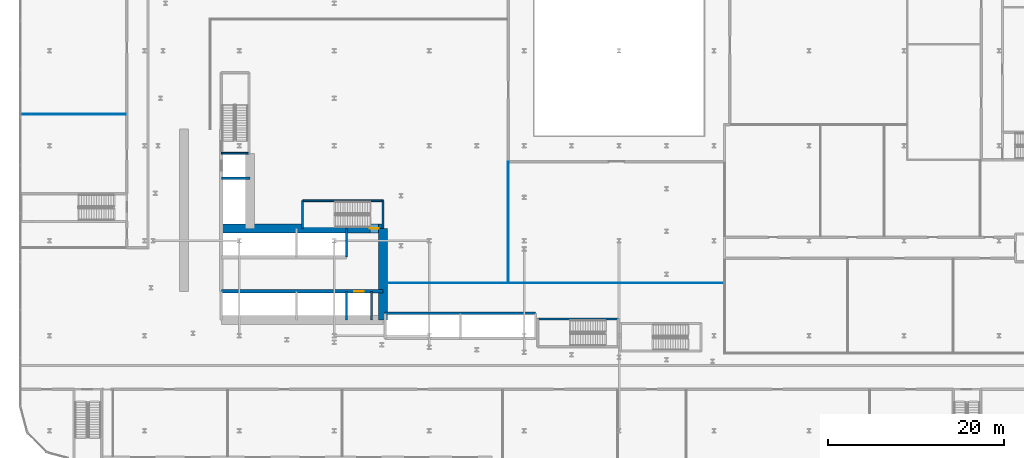
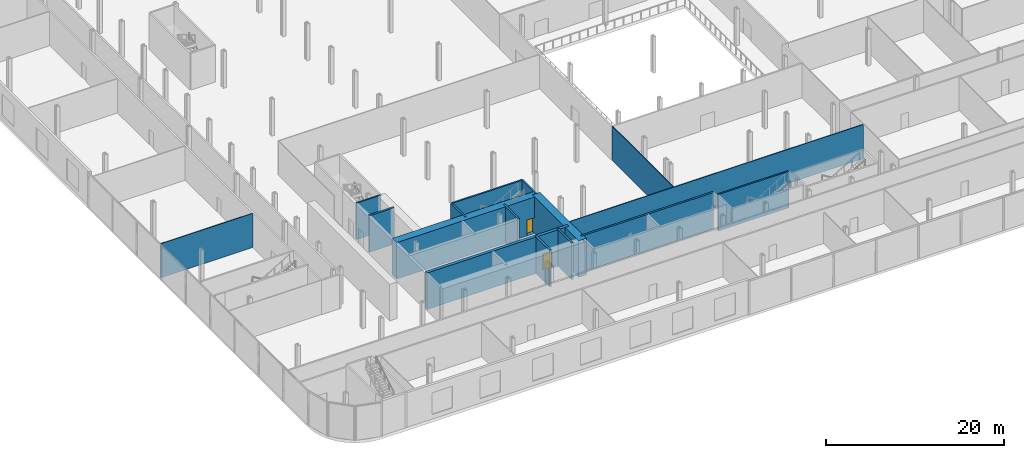
# One storey, part 28 of 47: 16 walls, 2 doors, 2 openings.
"""IFC4 building model written with IfcOpenShell, lengths in metres."""

from ifc_helpers import new_model, si_unit, direction, frame, frame_2d, origin, place, context, subcontext, project, spatial, rectangle, extrude, source, transform, mapped, material, layer, layer_set, type_object, element, fill, save


model = new_model("IFC4")

# Units and contexts
model_context = context("Model", 3, precision=1e-05, world=origin(), true_north=direction((0.0, 1.0)))
body_context = subcontext(model_context, "Body", "Model", "MODEL_VIEW")
ifc_project = project(units=[si_unit("LENGTHUNIT", "METRE"), si_unit("AREAUNIT", "SQUARE_METRE"), si_unit("VOLUMEUNIT", "CUBIC_METRE"), si_unit("PLANEANGLEUNIT", "RADIAN"), si_unit("MASSUNIT", "GRAM", prefix="KILO")], contexts=[model_context])

# Site, building, storey
site_placement = place(None, origin())
site = spatial("IfcSite", under=ifc_project, at=site_placement, CompositionType="ELEMENT")
building_placement = place(site_placement, origin())
building = spatial("IfcBuilding", under=site, at=building_placement, Name="Kheshtan School and Residences Tower", CompositionType="ELEMENT")
storey_placement = place(building_placement, frame((0.0, 0.0, 7.5)))
storey = spatial("IfcBuildingStorey", under=building, at=storey_placement, Name="L01", CompositionType="ELEMENT", Elevation=7.5)

# Wall, opening, door
ifc_material_1 = material(Name="Concrete C80/95", Category="concrete")
ifc_layer_1 = layer(ifc_material_1, 1.0)
ifc_layer_set_1 = layer_set([ifc_layer_1], Name="Core wall 1000 Concrete C80/95")
wall_type_1 = type_object("IfcWallType", Name="Core wall 1000 Concrete C80/95", PredefinedType="SHEAR", material=ifc_layer_set_1)
wall_1_placement = place(storey_placement, frame((34.75, 36.199951171875, 0.0), z_axis=(0.0, 0.0, 1.0), x_axis=(1.0, 0.0, 0.0)))
wall_1 = element("IfcWall", 1, at=wall_1_placement, inside=storey, type_object=wall_type_1, Name="Core wall CW-FRONT-S", PredefinedType="SHEAR", context=body_context, shape_type="SweptSolid", body=[
    extrude(rectangle(XDim=18.39990234375, YDim=1.0, at=frame_2d((9.199951171875, 0.0))), origin(), (0.0, 0.0, 1.0), 5.0),
])
opening_1_placement = place(wall_1_placement, frame((16.89990234375, 0.0, 0.0)))
opening_1 = element("IfcOpeningElement", 2, at=opening_1_placement, cuts=wall_1, Name="Opening ST1D", PredefinedType="OPENING", context=body_context, shape_type="SweptSolid", body=[
    extrude(rectangle(XDim=1.0, YDim=2.199951171875, at=frame_2d((0.5, 1.10009765625))), frame((0.0, 0.510009765625, 0.0), z_axis=(0.0, -1.0, 0.0), x_axis=(1.0, 0.0, 0.0)), (0.0, 0.0, 1.0), 1.02001953125),
])
ifc_material_2 = material(Name="Steel door leaf, galvanised", Category="steel")
door_type_1 = type_object("IfcDoorType", Name="Stair door 1100 steel 90 min", OperationType="SINGLE_SWING_LEFT", PredefinedType="DOOR", material=ifc_material_2)
shared_shape_1 = source(origin(), body_context, "Body", "SweptSolid", [
    extrude(rectangle(XDim=1.0, YDim=2.199951171875, at=frame_2d((0.5, 1.10009765625))), frame((0.0, 0.02490234375, 0.0), z_axis=(0.0, -1.0, 0.0), x_axis=(1.0, 0.0, 0.0)), (0.0, 0.0, 1.0), 0.050048828125),
])
door_1_placement = place(opening_1_placement, origin())
door_1 = element("IfcDoor", 3, at=door_1_placement, inside=storey, type_object=door_type_1, Name="Stair ST1 door", OperationType="SINGLE_SWING_RIGHT", OverallHeight=2.199951171875, OverallWidth=1.0, PredefinedType="DOOR", context=body_context, shape_type="MappedRepresentation", body=[
    mapped(shared_shape_1, transform((0.0, 0.0, 0.0), x_axis=(1.0, 0.0, 0.0), y_axis=(0.0, 1.0, 0.0), z_axis=(0.0, 0.0, 1.0), scale=1.0)),
])
fill(opening_1, door_1)

# Wall
wall_2_placement = place(storey_placement, frame((53.14990234375, 25.800048828125, 0.0), z_axis=(0.0, 0.0, 1.0), x_axis=(0.0, 1.0, 0.0)))
element("IfcWall", 4, at=wall_2_placement, inside=storey, type_object=wall_type_1, Name="Core wall CW-EAST", PredefinedType="SHEAR", context=body_context, shape_type="SweptSolid", body=[
    extrude(rectangle(XDim=10.39990234375, YDim=1.0, at=frame_2d((5.199951171875, 0.0))), origin(), (0.0, 0.0, 1.0), 5.0),
])

# Wall, opening, door
ifc_material_3 = material(Name="Concrete C50/60", Category="concrete")
ifc_layer_2 = layer(ifc_material_3, 0.39990234375)
ifc_layer_set_2 = layer_set([ifc_layer_2], Name="Core wall 400 Concrete C50/60")
wall_type_2 = type_object("IfcWallType", Name="Core wall 400 Concrete C50/60", PredefinedType="SHEAR", material=ifc_layer_set_2)
wall_3_placement = place(storey_placement, frame((34.75, 29.050048828125, 0.0), z_axis=(0.0, 0.0, 1.0), x_axis=(1.0, 0.0, 0.0)))
wall_3 = element("IfcWall", 5, at=wall_3_placement, inside=storey, type_object=wall_type_2, Name="Core wall CW-HALL-S1", PredefinedType="SHEAR", context=body_context, shape_type="SweptSolid", body=[
    extrude(rectangle(XDim=18.39990234375, YDim=0.39990234375, at=frame_2d((9.199951171875, 0.0))), origin(), (0.0, 0.0, 1.0), 5.0),
])
opening_2_placement = place(wall_3_placement, frame((15.125, 0.0, 0.0)))
opening_2 = element("IfcOpeningElement", 6, at=opening_2_placement, cuts=wall_3, Name="Opening LD", PredefinedType="OPENING", context=body_context, shape_type="SweptSolid", body=[
    extrude(rectangle(XDim=1.10009765625, YDim=2.199951171875, at=frame_2d((0.550048828125, 1.10009765625))), frame((0.0, 0.2099609375, 0.0), z_axis=(0.0, -1.0, 0.0), x_axis=(1.0, 0.0, 0.0)), (0.0, 0.0, 1.0), 0.419921875),
])
ifc_material_4 = material(Name="Stainless steel door leaves", Category="steel")
door_type_2 = type_object("IfcDoorType", Name="Lift landing door 1100", OperationType="SLIDING_TO_LEFT", PredefinedType="DOOR", material=ifc_material_4)
shared_shape_2 = source(origin(), body_context, "Body", "SweptSolid", [
    extrude(rectangle(XDim=1.10009765625, YDim=2.199951171875, at=frame_2d((0.550048828125, 1.10009765625))), frame((0.0, 0.02490234375, 0.0), z_axis=(0.0, -1.0, 0.0), x_axis=(1.0, 0.0, 0.0)), (0.0, 0.0, 1.0), 0.050048828125),
])
door_2_placement = place(opening_2_placement, origin())
door_2 = element("IfcDoor", 7, at=door_2_placement, inside=storey, type_object=door_type_2, Name="Lift FFL2 landing door", OperationType="SLIDING_TO_LEFT", OverallHeight=2.199951171875, OverallWidth=1.10009765625, PredefinedType="DOOR", context=body_context, shape_type="MappedRepresentation", body=[
    mapped(shared_shape_2, transform((0.0, 0.0, 0.0), x_axis=(1.0, 0.0, 0.0), y_axis=(0.0, 1.0, 0.0), z_axis=(0.0, 0.0, 1.0), scale=1.0)),
])
fill(opening_2, door_2)

# Walls
ifc_material_5 = material(Name="Gypsum board on steel studs", Category="steel")
ifc_layer_3 = layer(ifc_material_5, 0.10009765625)
ifc_layer_set_3 = layer_set([ifc_layer_3], Name="Gypsum partition 100")
wall_type_3 = type_object("IfcWallType", Name="Gypsum partition 100", PredefinedType="PARTITIONING", material=ifc_layer_set_3)
wall_4_placement = place(storey_placement, frame((12.0, 49.199951171875, 0.0), z_axis=(0.0, 0.0, 1.0), x_axis=(1.0, 0.0, 0.0)))
element("IfcWall", 8, at=wall_4_placement, inside=storey, type_object=wall_type_3, Name="Partition L01-004", PredefinedType="PARTITIONING", context=body_context, shape_type="SweptSolid", body=[
    extrude(rectangle(XDim=11.89990234375, YDim=0.10009765625, at=frame_2d((5.949951171875, 0.0))), origin(), (0.0, 0.0, 1.0), 4.679931640625),
])
wall_5_placement = place(storey_placement, frame((53.64892578125, 30.0, 0.0), z_axis=(0.0, 0.0, 1.0), x_axis=(1.0, 0.0, 0.0)))
element("IfcWall", 9, at=wall_5_placement, inside=storey, type_object=wall_type_3, Name="Partition L01-019", PredefinedType="PARTITIONING", context=body_context, shape_type="SweptSolid", body=[
    extrude(rectangle(XDim=38.301025390625, YDim=0.10009765625, at=frame_2d((19.150390625, 0.0))), origin(), (0.0, 0.0, 1.0), 4.679931640625),
])
wall_6_placement = place(storey_placement, frame((67.39990234375, 30.050048828125, 0.0), z_axis=(0.0, 0.0, 1.0), x_axis=(0.0, 1.0, 0.0)))
element("IfcWall", 10, at=wall_6_placement, inside=storey, type_object=wall_type_3, Name="Partition L01-029", PredefinedType="PARTITIONING", context=body_context, shape_type="SweptSolid", body=[
    extrude(rectangle(XDim=13.75, YDim=0.10009765625, at=frame_2d((6.875, 0.0))), origin(), (0.0, 0.0, 1.0), 4.679931640625),
])
ifc_material_6 = material(Name="Fire-board shaft wall system")
ifc_layer_4 = layer(ifc_material_6, 0.25)
ifc_layer_set_4 = layer_set([ifc_layer_4], Name="Shaft lining wall 250")
wall_type_4 = type_object("IfcWallType", Name="Shaft lining wall 250", PredefinedType="PARTITIONING", material=ifc_layer_set_4)
for number, where, z_axis, x_axis, name in (
    (11, (49.0, 25.800048828125, 0.0), (0.0, 0.0, 1.0), (0.0, 1.0, 0.0), "Shaft lining wall"),
    (12, (49.0, 32.949951171875, 0.0), (0.0, 0.0, 1.0), (0.0, 1.0, 0.0), "Shaft lining wall"),
    (13, (51.85009765625, 25.800048828125, 0.0), (0.0, 0.0, 1.0), (0.0, 1.0, 0.0), "Shaft lining wall"),
):
    element("IfcWall", number, at=place(storey_placement, frame(where, z_axis=z_axis, x_axis=x_axis)), inside=storey, type_object=wall_type_4, Name=name, PredefinedType="PARTITIONING", context=body_context, shape_type="SweptSolid", body=[
        extrude(rectangle(XDim=3.25, YDim=0.25, at=frame_2d((1.625, 0.0))), origin(), (0.0, 0.0, 1.0), 5.0),
    ])
wall_7_placement = place(storey_placement, frame((53.39990234375, 26.550048828125, 0.0), z_axis=(0.0, 0.0, 1.0), x_axis=(1.0, 0.0, 0.0)))
element("IfcWall", 14, at=wall_7_placement, inside=storey, type_object=wall_type_4, Name="Shaft lining wall", PredefinedType="PARTITIONING", context=body_context, shape_type="SweptSolid", body=[
    extrude(rectangle(XDim=17.10009765625, YDim=0.25, at=frame_2d((8.550048828125, 0.0))), origin(), (0.0, 0.0, 1.0), 5.0),
])
wall_8_placement = place(storey_placement, frame((34.75, 41.89990234375, 0.0), z_axis=(0.0, 0.0, 1.0), x_axis=(1.0, 0.0, 0.0)))
element("IfcWall", 15, at=wall_8_placement, inside=storey, type_object=wall_type_4, Name="Shaft lining wall", PredefinedType="PARTITIONING", context=body_context, shape_type="SweptSolid", body=[
    extrude(rectangle(XDim=3.25, YDim=0.25, at=frame_2d((1.625, 0.0))), origin(), (0.0, 0.0, 1.0), 5.0),
])
ifc_material_7 = material(Name="Concrete C40/50", Category="concrete")
ifc_layer_5 = layer(ifc_material_7, 0.199951171875)
ifc_layer_set_5 = layer_set([ifc_layer_5], Name="Stair enclosure wall 200 Concrete C40/50")
wall_type_5 = type_object("IfcWallType", Name="Stair enclosure wall 200 Concrete C40/50", PredefinedType="SHEAR", material=ifc_layer_set_5)
wall_9_placement = place(storey_placement, frame((43.989990234375, 39.35009765625, 0.0), z_axis=(0.0, 0.0, 1.0), x_axis=(1.0, 0.0, 0.0)))
element("IfcWall", 16, at=wall_9_placement, inside=storey, type_object=wall_type_5, Name="Stair enclosure wall ST1", PredefinedType="SHEAR", context=body_context, shape_type="SweptSolid", body=[
    extrude(rectangle(XDim=9.159912109375, YDim=0.199951171875, at=frame_2d((4.580078125, 0.0))), origin(), (0.0, 0.0, 1.0), 5.0),
])
for number, where, z_axis, x_axis, name in (
    (17, (43.989990234375, 36.199951171875, 0.0), (0.0, 0.0, 1.0), (0.0, 1.0, 0.0), "Stair enclosure wall ST1"),
    (18, (53.14990234375, 36.199951171875, 0.0), (0.0, 0.0, 1.0), (0.0, 1.0, 0.0), "Stair enclosure wall ST1"),
):
    element("IfcWall", number, at=place(storey_placement, frame(where, z_axis=z_axis, x_axis=x_axis)), inside=storey, type_object=wall_type_5, Name=name, PredefinedType="SHEAR", context=body_context, shape_type="SweptSolid", body=[
        extrude(rectangle(XDim=3.150146484375, YDim=0.199951171875, at=frame_2d((1.5751953125, 0.0))), origin(), (0.0, 0.0, 1.0), 5.0),
    ])
wall_10_placement = place(storey_placement, frame((34.75, 44.75, 0.0), z_axis=(0.0, 0.0, 1.0), x_axis=(1.0, 0.0, 0.0)))
element("IfcWall", 19, at=wall_10_placement, inside=storey, type_object=wall_type_5, Name="Stair enclosure wall ST2", PredefinedType="SHEAR", context=body_context, shape_type="SweptSolid", body=[
    extrude(rectangle(XDim=3.14990234375, YDim=0.199951171875, at=frame_2d((1.574951171875, 0.0))), origin(), (0.0, 0.0, 1.0), 5.0),
])
wall_11_placement = place(storey_placement, frame((70.75, 25.89990234375, 0.0), z_axis=(0.0, 0.0, 1.0), x_axis=(1.0, 0.0, 0.0)))
element("IfcWall", 20, at=wall_11_placement, inside=storey, type_object=wall_type_5, Name="Stair enclosure wall ST5", PredefinedType="SHEAR", context=body_context, shape_type="SweptSolid", body=[
    extrude(rectangle(XDim=9.159912109375, YDim=0.199951171875, at=frame_2d((4.580078125, 0.0))), origin(), (0.0, 0.0, 1.0), 5.0),
])

save(model, "model.ifc")
